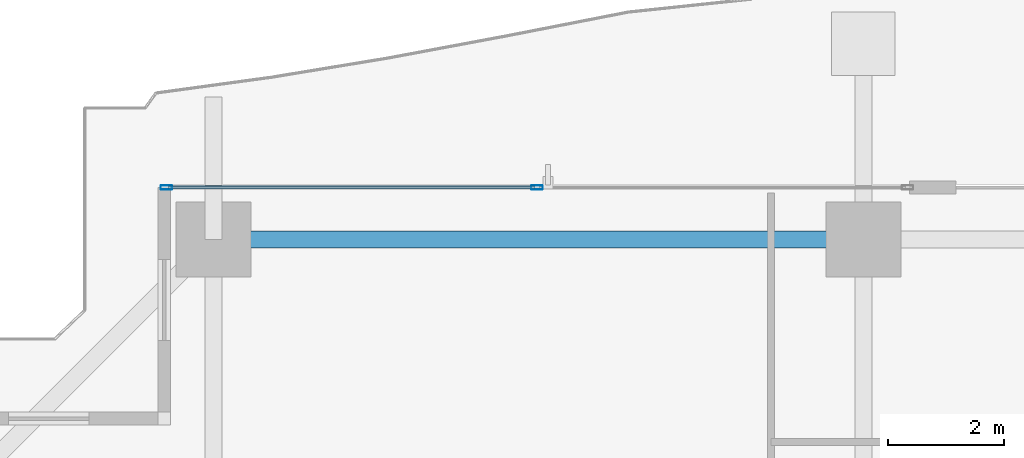
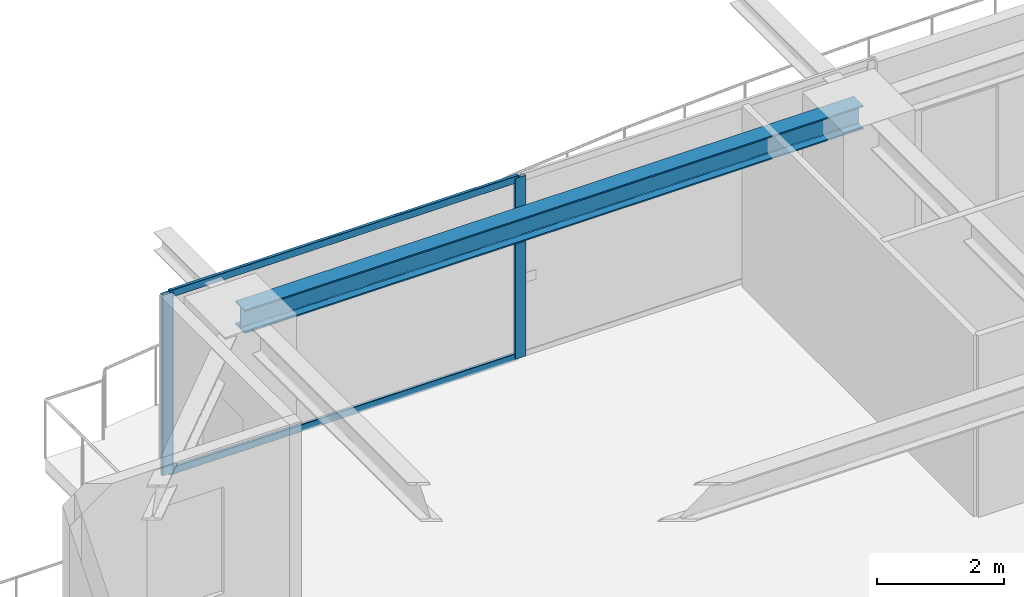
# One storey, part 17 of 34: 4 members, 1 beam, 1 element without a shape of its own.
"""IFC4 building model written with IfcOpenShell, lengths in metres."""

from ifc_helpers import new_model, si_unit, direction, frame, origin, origin_2d, place, context, subcontext, project, spatial, hollow_rectangle, i_section, extrude, source, transform, mapped, material, layer, layer_set, material_profile, profile_set, type_object, element, aggregate, save


model = new_model("IFC4")

# Units and contexts
model_context = context("Model", 3, precision=1e-05, world=origin(), true_north=direction((0.0, 1.0)))
body_context = subcontext(model_context, "Body", "Model", "MODEL_VIEW")
ifc_project = project(units=[si_unit("LENGTHUNIT", "METRE"), si_unit("AREAUNIT", "SQUARE_METRE"), si_unit("VOLUMEUNIT", "CUBIC_METRE"), si_unit("PLANEANGLEUNIT", "RADIAN"), si_unit("MASSUNIT", "GRAM", prefix="KILO")], contexts=[model_context])

# Site, building, storey
site_placement = place(None, origin())
site = spatial("IfcSite", under=ifc_project, at=site_placement, CompositionType="ELEMENT")
building_placement = place(site_placement, origin())
building = spatial("IfcBuilding", under=site, at=building_placement, Name="Serunith Strait Residences", CompositionType="ELEMENT")
storey_placement = place(building_placement, frame((0.0, 0.0, 180.14990234375)))
storey = spatial("IfcBuildingStorey", under=building, at=storey_placement, Name="L45", CompositionType="ELEMENT", Elevation=180.14990234375)

# Beam
ifc_material_1 = material(Name="Steel S355J2", Category="steel")
ifc_material_profile_1 = material_profile(ifc_material_1, i_section(OverallWidth=0.300048828125, OverallDepth=0.449951171875, WebThickness=0.013916015625, FlangeThickness=0.02587890625, FilletRadius=0.027099609375, at=origin_2d()), Name="HEB 450")
ifc_profile_set_1 = profile_set([ifc_material_profile_1], Name="Steel S355J2")
beam_type = type_object("IfcBeamType", Name="BM-HEB450", PredefinedType="BEAM", material=ifc_profile_set_1)
shared_shape_1 = source(origin(), body_context, "Body", "SweptSolid", [
    extrude(i_section(OverallWidth=0.300048828125, OverallDepth=0.449951171875, WebThickness=0.013916015625, FlangeThickness=0.02587890625, FilletRadius=0.027099609375, at=origin_2d()), origin(), (0.0, 0.0, 1.0), 11.25),
])
beam_placement = place(storey_placement, frame((27.89990234375, 48.10009765625, 3.26220703125), z_axis=(-1.0, 0.0, 0.0), x_axis=(0.0, -1.0, 0.0)))
element("IfcBeam", 1, at=beam_placement, inside=storey, type_object=beam_type, Name="L45 Perimeter Ring Beam 11", PredefinedType="BEAM", context=body_context, shape_type="MappedRepresentation", body=[
    mapped(shared_shape_1, transform((0.0, 0.0, 0.0), scale=1.0)),
])

# Curtain wall, members
ifc_material_2 = material(Name="Pale-Champagne Anodised Aluminium", Category="aluminium")
ifc_layer = layer(ifc_material_2, 0.199951171875, Name="Pale-Champagne Anodised Aluminium")
ifc_layer_set = layer_set([ifc_layer], Name="Pale-Champagne Anodised Aluminium")
curtain_wall_type = type_object("IfcCurtainWallType", Name="CW-SYS2", PredefinedType="NOTDEFINED", material=ifc_layer_set)
curtain_wall_placement = place(storey_placement, origin())
curtain_wall = element("IfcCurtainWall", 2, at=curtain_wall_placement, inside=storey, type_object=curtain_wall_type, Name="L45 N Unitised Fritted Curtain Wall", PredefinedType="NOTDEFINED")
ifc_material_profile_2 = material_profile(ifc_material_2, hollow_rectangle(XDim=0.070068359375, YDim=0.199951171875, WallThickness=0.00390625, InnerFilletRadius=0.006103515625, OuterFilletRadius=0.010009765625, at=origin_2d()), Name="ALU 200x70x4")
ifc_profile_set_2 = profile_set([ifc_material_profile_2], Name="Pale-Champagne Anodised Aluminium")
member_type_1 = type_object("IfcMemberType", Name="CW-SYS2-MULL", PredefinedType="MULLION", material=ifc_profile_set_2)
shared_shape_2 = source(origin(), body_context, "Body", "SweptSolid", [
    extrude(hollow_rectangle(XDim=0.070068359375, YDim=0.199951171875, WallThickness=0.00390625, InnerFilletRadius=0.006103515625, OuterFilletRadius=0.010009765625, at=origin_2d()), origin(), (0.0, 0.0, 1.0), 3.47509765625),
])
member_1_placement = place(storey_placement, frame((22.25, 49.0, 0.0), z_axis=(0.0, 0.0, 1.0), x_axis=(0.0, -1.0, 0.0)))
member_1 = element("IfcMember", 3, at=member_1_placement, type_object=member_type_1, Name="CW-2 mullion 2", PredefinedType="MULLION", context=body_context, shape_type="MappedRepresentation", body=[
    mapped(shared_shape_2, transform((0.0, 0.0, 0.0), scale=1.0)),
])
member_2_placement = place(storey_placement, frame((15.8349609375, 49.0, 0.0), z_axis=(0.0, 0.0, 1.0), x_axis=(0.0, -1.0, 0.0)))
member_2 = element("IfcMember", 4, at=member_2_placement, type_object=member_type_1, Name="CW-2 mullion 3", PredefinedType="MULLION", context=body_context, shape_type="MappedRepresentation", body=[
    mapped(shared_shape_2, transform((0.0, 0.0, 0.0), scale=1.0)),
])
ifc_material_profile_3 = material_profile(ifc_material_2, hollow_rectangle(XDim=0.06005859375, YDim=0.139892578125, WallThickness=0.00341796875, InnerFilletRadius=0.00537109375, OuterFilletRadius=0.0087890625, at=origin_2d()), Name="ALU 140x60x3.5")
ifc_profile_set_3 = profile_set([ifc_material_profile_3], Name="Pale-Champagne Anodised Aluminium")
member_type_2 = type_object("IfcMemberType", Name="CW-SYS2-TRAN", PredefinedType="USERDEFINED", material=ifc_profile_set_3)
shared_shape_3 = source(origin(), body_context, "Body", "SweptSolid", [
    extrude(hollow_rectangle(XDim=0.06005859375, YDim=0.139892578125, WallThickness=0.00341796875, InnerFilletRadius=0.00537109375, OuterFilletRadius=0.0087890625, at=origin_2d()), origin(), (0.0, 0.0, 1.0), 6.344970703125),
])
member_3_placement = place(storey_placement, frame((22.215087890625, 49.0, 0.030029296875), z_axis=(-1.0, 0.0, 0.0), x_axis=(0.0, -1.0, 0.0)))
member_3 = element("IfcMember", 5, at=member_3_placement, type_object=member_type_2, Name="CW-2 transom 2.1", ObjectType="TRANSOM", PredefinedType="USERDEFINED", context=body_context, shape_type="MappedRepresentation", body=[
    mapped(shared_shape_3, transform((0.0, 0.0, 0.0), scale=1.0)),
])
member_4_placement = place(storey_placement, frame((22.215087890625, 49.0, 3.445068359375), z_axis=(-1.0, 0.0, 0.0), x_axis=(0.0, -1.0, 0.0)))
member_4 = element("IfcMember", 6, at=member_4_placement, type_object=member_type_2, Name="CW-2 transom 2.2", ObjectType="TRANSOM", PredefinedType="USERDEFINED", context=body_context, shape_type="MappedRepresentation", body=[
    mapped(shared_shape_3, transform((0.0, 0.0, 0.0), scale=1.0)),
])
aggregate(curtain_wall, [member_1, member_2, member_3, member_4])

save(model, "model.ifc")
